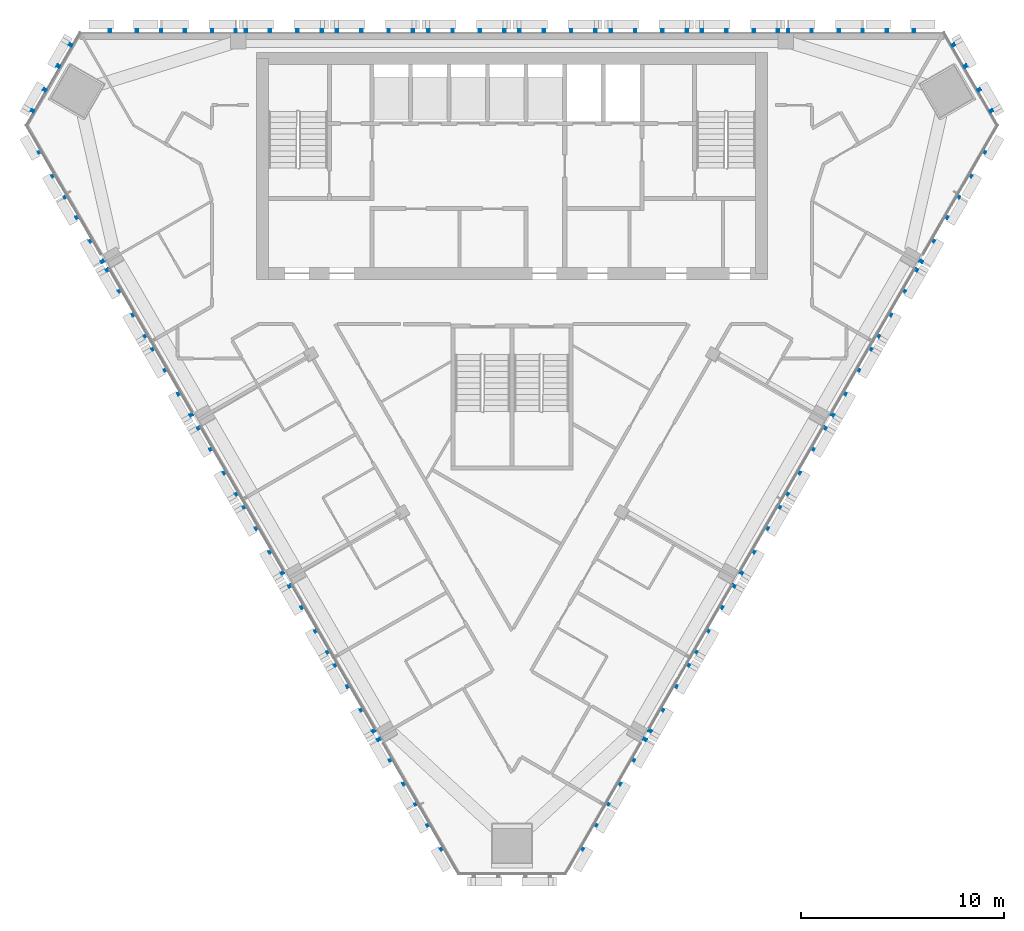
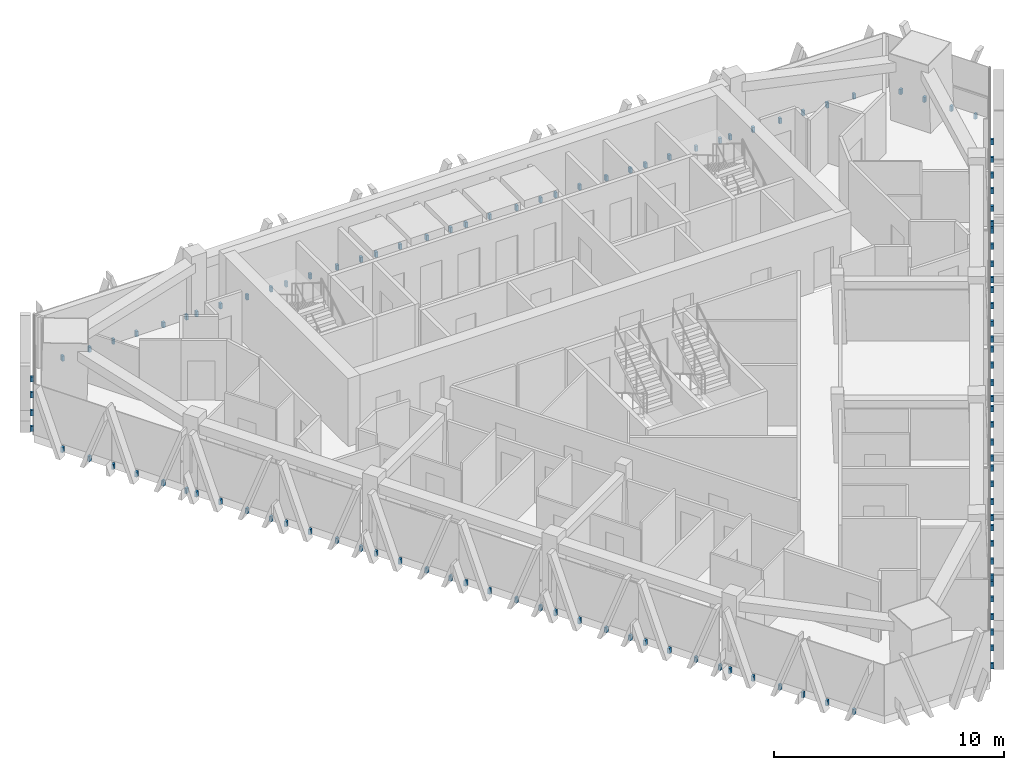
# One storey, part 12 of 15: 5 discrete accessories.
"""IFC4 building model written with IfcOpenShell, lengths in metres."""

from ifc_helpers import new_model, si_unit, direction, frame, origin, place, context, subcontext, project, spatial, polyline, outline, extrude, source, transform, mapped, material, type_object, element, save


model = new_model("IFC4")

# Units and contexts
model_context = context("Model", 3, precision=1e-05, world=origin(), true_north=direction((0.0, 1.0)))
body_context = subcontext(model_context, "Body", "Model", "MODEL_VIEW")
ifc_project = project(units=[si_unit("LENGTHUNIT", "METRE"), si_unit("AREAUNIT", "SQUARE_METRE"), si_unit("VOLUMEUNIT", "CUBIC_METRE"), si_unit("PLANEANGLEUNIT", "RADIAN"), si_unit("MASSUNIT", "GRAM", prefix="KILO")], contexts=[model_context])

# Site, building, storey
site_placement = place(None, origin())
site = spatial("IfcSite", under=ifc_project, at=site_placement, CompositionType="ELEMENT")
building_placement = place(site_placement, origin())
building = spatial("IfcBuilding", under=site, at=building_placement, Name="Altiplano Prism Tower", CompositionType="ELEMENT")
storey_placement = place(building_placement, frame((0.0, 0.0, 246.39990234375)))
storey = spatial("IfcBuildingStorey", under=building, at=storey_placement, Name="L63", CompositionType="ELEMENT", Elevation=246.39990234375)

# Discrete accessories
ifc_material = material(Name="Stainless steel", Category="steel")
discrete_accessory_type = type_object("IfcDiscreteAccessoryType", Name="Stone fin fixing prongs", PredefinedType="USERDEFINED", material=ifc_material)
shared_shape_1 = source(origin(), body_context, "Body", "SweptSolid", [
    extrude(outline(polyline([(-0.73291015625, 0.06005859375), (-0.61279296875, 0.06005859375), (-0.61279296875, 0.340087890625), (-0.73291015625, 0.340087890625), (-0.73291015625, 0.06005859375)])), frame((0.0, 0.0, 0.0), z_axis=(0.0, -1.0, 0.0), x_axis=(1.0, 0.0, 0.0)), (0.0, 0.0, 1.0), 0.14990234375),
    extrude(outline(polyline([(0.61279296875, 0.06005859375), (0.73291015625, 0.06005859375), (0.73291015625, 0.340087890625), (0.61279296875, 0.340087890625), (0.61279296875, 0.06005859375)])), frame((0.0, 0.0, 0.0), z_axis=(0.0, -1.0, 0.0), x_axis=(1.0, 0.0, 0.0)), (0.0, 0.0, 1.0), 0.14990234375),
])
shared_shape_2 = source(origin(), body_context, "Body", "SweptSolid", [
    extrude(outline(polyline([(-0.73291015625, 0.06005859375), (-0.61279296875, 0.06005859375), (-0.61279296875, 0.340087890625), (-0.73291015625, 0.340087890625), (-0.73291015625, 0.06005859375)])), frame((0.0, 0.0, 0.0), z_axis=(0.0, -1.0, 0.0), x_axis=(1.0, 0.0, 0.0)), (0.0, 0.0, 1.0), 0.14990234375),
    extrude(outline(polyline([(-1.889892578125, 0.06005859375), (-1.78271484375, 0.06005859375), (-1.78271484375, 0.340087890625), (-1.889892578125, 0.340087890625), (-1.889892578125, 0.06005859375)])), frame((0.0, 0.0, 0.0), z_axis=(0.0, -1.0, 0.0), x_axis=(1.0, 0.0, 0.0)), (0.0, 0.0, 1.0), 0.14990234375),
    extrude(outline(polyline([(0.61279296875, 0.06005859375), (0.73291015625, 0.06005859375), (0.73291015625, 0.340087890625), (0.61279296875, 0.340087890625), (0.61279296875, 0.06005859375)])), frame((0.0, 0.0, 0.0), z_axis=(0.0, -1.0, 0.0), x_axis=(1.0, 0.0, 0.0)), (0.0, 0.0, 1.0), 0.14990234375),
    extrude(outline(polyline([(1.78271484375, 0.06005859375), (1.889892578125, 0.06005859375), (1.889892578125, 0.340087890625), (1.78271484375, 0.340087890625), (1.78271484375, 0.06005859375)])), frame((0.0, 0.0, 0.0), z_axis=(0.0, -1.0, 0.0), x_axis=(1.0, 0.0, 0.0)), (0.0, 0.0, 1.0), 0.14990234375),
])
shared_shape_3 = source(origin(), body_context, "Body", "SweptSolid", [
    extrude(outline(polyline([(-1.932861328125, 0.06005859375), (-1.812744140625, 0.06005859375), (-1.812744140625, 0.340087890625), (-1.932861328125, 0.340087890625), (-1.932861328125, 0.06005859375)])), frame((0.0, 0.0, 0.0), z_axis=(0.0, -1.0, 0.0), x_axis=(1.0, 0.0, 0.0)), (0.0, 0.0, 1.0), 0.14990234375),
    extrude(outline(polyline([(-0.73291015625, 0.06005859375), (-0.61279296875, 0.06005859375), (-0.61279296875, 0.340087890625), (-0.73291015625, 0.340087890625), (-0.73291015625, 0.06005859375)])), frame((0.0, 0.0, 0.0), z_axis=(0.0, -1.0, 0.0), x_axis=(1.0, 0.0, 0.0)), (0.0, 0.0, 1.0), 0.14990234375),
    extrude(outline(polyline([(0.61279296875, 0.06005859375), (0.73291015625, 0.06005859375), (0.73291015625, 0.340087890625), (0.61279296875, 0.340087890625), (0.61279296875, 0.06005859375)])), frame((0.0, 0.0, 0.0), z_axis=(0.0, -1.0, 0.0), x_axis=(1.0, 0.0, 0.0)), (0.0, 0.0, 1.0), 0.14990234375),
    extrude(outline(polyline([(1.812744140625, 0.06005859375), (1.932861328125, 0.06005859375), (1.932861328125, 0.340087890625), (1.812744140625, 0.340087890625), (1.812744140625, 0.06005859375)])), frame((0.0, 0.0, 0.0), z_axis=(0.0, -1.0, 0.0), x_axis=(1.0, 0.0, 0.0)), (0.0, 0.0, 1.0), 0.14990234375),
])
discrete_accessory_1_placement = place(storey_placement, origin())
element("IfcDiscreteAccessory", 1, at=discrete_accessory_1_placement, inside=storey, type_object=discrete_accessory_type, Name="Fin fixings L63 north face", ObjectType="BRACKET", PredefinedType="USERDEFINED", context=body_context, shape_type="MappedRepresentation", body=[
    mapped(shared_shape_1, transform((104.16064453125, 105.0, -0.39990234375), x_axis=(-1.0, 0.0, 0.0), y_axis=(0.0, -1.0, 0.0), z_axis=(0.0, 0.0, 1.0))),
    mapped(shared_shape_2, transform((100.45361328125, 105.0, -0.39990234375), x_axis=(-1.0, 0.0, 0.0), y_axis=(0.0, -1.0, 0.0), z_axis=(0.0, 0.0, 1.0))),
    mapped(shared_shape_3, transform((96.25, 105.0, -0.39990234375), x_axis=(-1.0, 0.0, 0.0), y_axis=(0.0, -1.0, 0.0), z_axis=(0.0, 0.0, 1.0))),
    mapped(shared_shape_3, transform((91.75, 105.0, -0.39990234375), x_axis=(-1.0, 0.0, 0.0), y_axis=(0.0, -1.0, 0.0), z_axis=(0.0, 0.0, 1.0))),
    mapped(shared_shape_3, transform((87.25, 105.0, -0.39990234375), x_axis=(-1.0, 0.0, 0.0), y_axis=(0.0, -1.0, 0.0), z_axis=(0.0, 0.0, 1.0))),
    mapped(shared_shape_3, transform((82.75, 105.0, -0.39990234375), x_axis=(-1.0, 0.0, 0.0), y_axis=(0.0, -1.0, 0.0), z_axis=(0.0, 0.0, 1.0))),
    mapped(shared_shape_3, transform((78.25, 105.0, -0.39990234375), x_axis=(-1.0, 0.0, 0.0), y_axis=(0.0, -1.0, 0.0), z_axis=(0.0, 0.0, 1.0))),
    mapped(shared_shape_3, transform((73.75, 105.0, -0.39990234375), x_axis=(-1.0, 0.0, 0.0), y_axis=(0.0, -1.0, 0.0), z_axis=(0.0, 0.0, 1.0))),
    mapped(shared_shape_2, transform((69.54638671875, 105.0, -0.39990234375), x_axis=(-1.0, 0.0, 0.0), y_axis=(0.0, -1.0, 0.0), z_axis=(0.0, 0.0, 1.0))),
    mapped(shared_shape_1, transform((65.83935546875, 105.0, -0.39990234375), x_axis=(-1.0, 0.0, 0.0), y_axis=(0.0, -1.0, 0.0), z_axis=(0.0, 0.0, 1.0))),
])
discrete_accessory_2_placement = place(storey_placement, origin())
element("IfcDiscreteAccessory", 2, at=discrete_accessory_2_placement, inside=storey, type_object=discrete_accessory_type, Name="Fin fixings L63 north-west chamfer", ObjectType="BRACKET", PredefinedType="USERDEFINED", context=body_context, shape_type="MappedRepresentation", body=[
    mapped(shared_shape_3, transform((62.358642578125, 102.701171875, -0.39990234375), x_axis=(-0.500000016987, -0.866025393977, 0.0), y_axis=(0.866025393977, -0.500000016987, 0.0), z_axis=(0.0, 0.0, 1.0))),
])
discrete_accessory_3_placement = place(storey_placement, origin())
element("IfcDiscreteAccessory", 3, at=discrete_accessory_3_placement, inside=storey, type_object=discrete_accessory_type, Name="Fin fixings L63 south-west face", ObjectType="BRACKET", PredefinedType="USERDEFINED", context=body_context, shape_type="MappedRepresentation", body=[
    mapped(shared_shape_1, transform((62.108154296875, 98.537109375, -0.39990234375), x_axis=(0.500000006139, -0.86602540024, 0.0), y_axis=(0.86602540024, 0.500000006139, 0.0), z_axis=(0.0, 0.0, 1.0))),
    mapped(shared_shape_2, transform((63.961669921875, 95.32666015625, -0.39990234375), x_axis=(0.500000006139, -0.86602540024, 0.0), y_axis=(0.86602540024, 0.500000006139, 0.0), z_axis=(0.0, 0.0, 1.0))),
    mapped(shared_shape_3, transform((66.0634765625, 91.6865234375, -0.39990234375), x_axis=(0.500000006139, -0.86602540024, 0.0), y_axis=(0.86602540024, 0.500000006139, 0.0), z_axis=(0.0, 0.0, 1.0))),
    mapped(shared_shape_3, transform((68.3134765625, 87.789306640625, -0.39990234375), x_axis=(0.500000006139, -0.86602540024, 0.0), y_axis=(0.86602540024, 0.500000006139, 0.0), z_axis=(0.0, 0.0, 1.0))),
    mapped(shared_shape_3, transform((70.5634765625, 83.89208984375, -0.39990234375), x_axis=(0.500000006139, -0.86602540024, 0.0), y_axis=(0.86602540024, 0.500000006139, 0.0), z_axis=(0.0, 0.0, 1.0))),
    mapped(shared_shape_3, transform((72.8134765625, 79.9951171875, -0.39990234375), x_axis=(0.500000006139, -0.86602540024, 0.0), y_axis=(0.86602540024, 0.500000006139, 0.0), z_axis=(0.0, 0.0, 1.0))),
    mapped(shared_shape_3, transform((75.0634765625, 76.097900390625, -0.39990234375), x_axis=(0.500000006139, -0.86602540024, 0.0), y_axis=(0.86602540024, 0.500000006139, 0.0), z_axis=(0.0, 0.0, 1.0))),
    mapped(shared_shape_3, transform((77.3134765625, 72.200927734375, -0.39990234375), x_axis=(0.500000006139, -0.86602540024, 0.0), y_axis=(0.86602540024, 0.500000006139, 0.0), z_axis=(0.0, 0.0, 1.0))),
    mapped(shared_shape_2, transform((79.4150390625, 68.560546875, -0.39990234375), x_axis=(0.500000006139, -0.86602540024, 0.0), y_axis=(0.86602540024, 0.500000006139, 0.0), z_axis=(0.0, 0.0, 1.0))),
    mapped(shared_shape_1, transform((81.268798828125, 65.35009765625, -0.39990234375), x_axis=(0.500000006139, -0.86602540024, 0.0), y_axis=(0.86602540024, 0.500000006139, 0.0), z_axis=(0.0, 0.0, 1.0))),
])
discrete_accessory_4_placement = place(storey_placement, origin())
element("IfcDiscreteAccessory", 4, at=discrete_accessory_4_placement, inside=storey, type_object=discrete_accessory_type, Name="Fin fixings L63 south-east face", ObjectType="BRACKET", PredefinedType="USERDEFINED", context=body_context, shape_type="MappedRepresentation", body=[
    mapped(shared_shape_1, transform((88.731201171875, 65.35009765625, -0.39990234375), x_axis=(0.500000006139, 0.86602540024, 0.0), y_axis=(-0.86602540024, 0.500000006139, 0.0), z_axis=(0.0, 0.0, 1.0))),
    mapped(shared_shape_2, transform((90.5849609375, 68.560546875, -0.39990234375), x_axis=(0.500000006139, 0.86602540024, 0.0), y_axis=(-0.86602540024, 0.500000006139, 0.0), z_axis=(0.0, 0.0, 1.0))),
    mapped(shared_shape_3, transform((92.6865234375, 72.200927734375, -0.39990234375), x_axis=(0.500000006139, 0.86602540024, 0.0), y_axis=(-0.86602540024, 0.500000006139, 0.0), z_axis=(0.0, 0.0, 1.0))),
    mapped(shared_shape_3, transform((94.9365234375, 76.097900390625, -0.39990234375), x_axis=(0.500000006139, 0.86602540024, 0.0), y_axis=(-0.86602540024, 0.500000006139, 0.0), z_axis=(0.0, 0.0, 1.0))),
    mapped(shared_shape_3, transform((97.1865234375, 79.9951171875, -0.39990234375), x_axis=(0.500000006139, 0.86602540024, 0.0), y_axis=(-0.86602540024, 0.500000006139, 0.0), z_axis=(0.0, 0.0, 1.0))),
    mapped(shared_shape_3, transform((99.4365234375, 83.89208984375, -0.39990234375), x_axis=(0.500000006139, 0.86602540024, 0.0), y_axis=(-0.86602540024, 0.500000006139, 0.0), z_axis=(0.0, 0.0, 1.0))),
    mapped(shared_shape_3, transform((101.6865234375, 87.789306640625, -0.39990234375), x_axis=(0.500000006139, 0.86602540024, 0.0), y_axis=(-0.86602540024, 0.500000006139, 0.0), z_axis=(0.0, 0.0, 1.0))),
    mapped(shared_shape_3, transform((103.9365234375, 91.6865234375, -0.39990234375), x_axis=(0.500000006139, 0.86602540024, 0.0), y_axis=(-0.86602540024, 0.500000006139, 0.0), z_axis=(0.0, 0.0, 1.0))),
    mapped(shared_shape_2, transform((106.038330078125, 95.32666015625, -0.39990234375), x_axis=(0.500000006139, 0.86602540024, 0.0), y_axis=(-0.86602540024, 0.500000006139, 0.0), z_axis=(0.0, 0.0, 1.0))),
    mapped(shared_shape_1, transform((107.891845703125, 98.537109375, -0.39990234375), x_axis=(0.500000006139, 0.86602540024, 0.0), y_axis=(-0.86602540024, 0.500000006139, 0.0), z_axis=(0.0, 0.0, 1.0))),
])
discrete_accessory_5_placement = place(storey_placement, origin())
element("IfcDiscreteAccessory", 5, at=discrete_accessory_5_placement, inside=storey, type_object=discrete_accessory_type, Name="Fin fixings L63 north-east chamfer", ObjectType="BRACKET", PredefinedType="USERDEFINED", context=body_context, shape_type="MappedRepresentation", body=[
    mapped(shared_shape_3, transform((107.641357421875, 102.701171875, -0.39990234375), x_axis=(-0.500000016987, 0.866025393977, 0.0), y_axis=(-0.866025393977, -0.500000016987, 0.0), z_axis=(0.0, 0.0, 1.0))),
])

save(model, "model.ifc")
